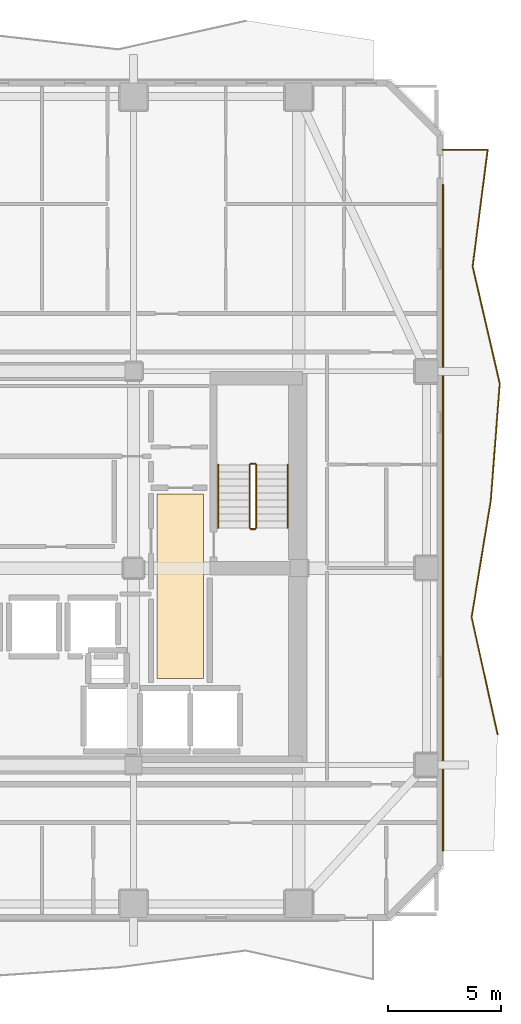
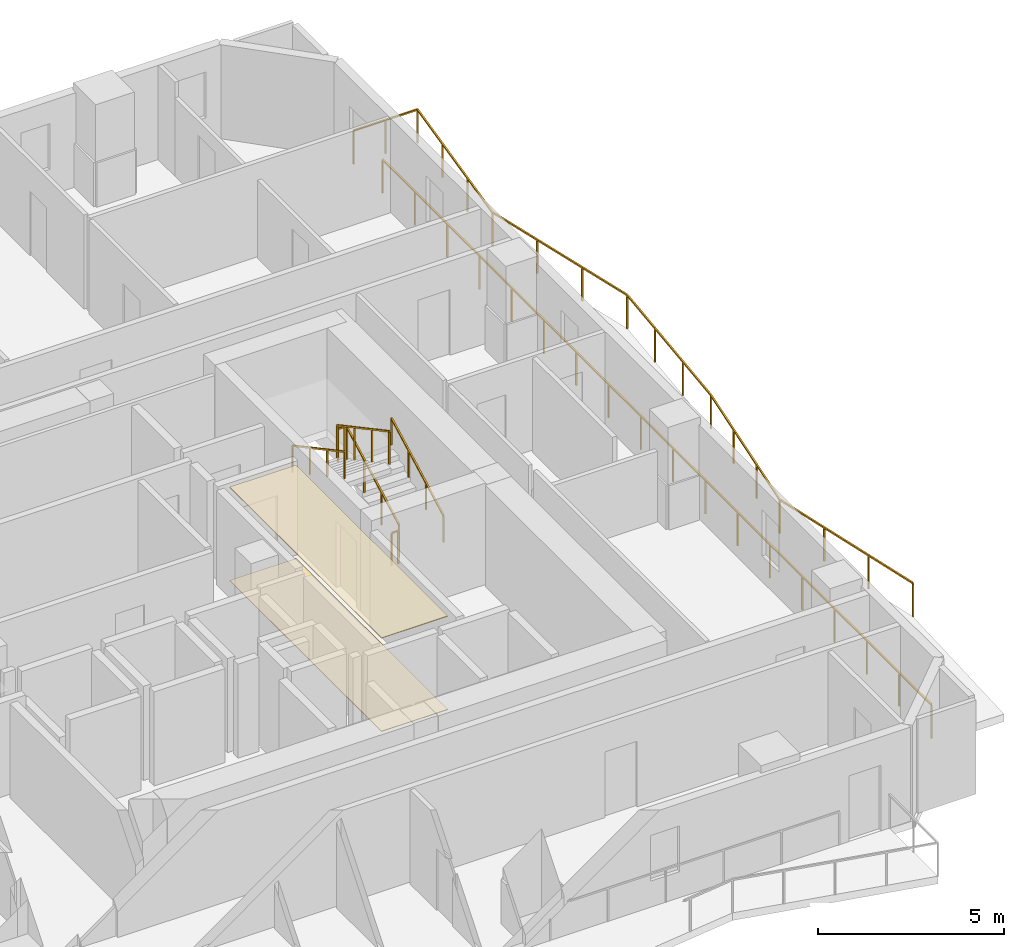
# One storey, part 10 of 11: 8 railings, 2 coverings.
"""IFC4 building model written with IfcOpenShell, lengths in metres."""

from ifc_helpers import new_model, si_unit, direction, frame, origin, origin_2d, place, context, subcontext, project, spatial, polyline, rectangle, outline, extrude, material, layer, layer_set, type_object, element, save


model = new_model("IFC4")

# Units and contexts
model_context = context("Model", 3, precision=1e-05, world=origin(), true_north=direction((0.0, 1.0)))
body_context = subcontext(model_context, "Body", "Model", "MODEL_VIEW")
ifc_project = project(units=[si_unit("LENGTHUNIT", "METRE"), si_unit("AREAUNIT", "SQUARE_METRE"), si_unit("VOLUMEUNIT", "CUBIC_METRE"), si_unit("PLANEANGLEUNIT", "RADIAN"), si_unit("MASSUNIT", "GRAM", prefix="KILO")], contexts=[model_context])

# Site, building, storey
site_placement = place(None, origin())
site = spatial("IfcSite", under=ifc_project, at=site_placement, CompositionType="ELEMENT")
building_placement = place(site_placement, origin())
building = spatial("IfcBuilding", under=site, at=building_placement, Name="Solanera Arch Residences", CompositionType="ELEMENT")
storey_placement = place(building_placement, frame((0.0, 0.0, 180.199951171875)))
storey = spatial("IfcBuildingStorey", under=building, at=storey_placement, Name="L52", CompositionType="ELEMENT", Elevation=180.199951171875)

# Railings
ifc_material_1 = material(Name="Steel S355 (ASTM A992 / A572 Grade 50)", Category="steel")
railing_type_1 = type_object("IfcRailingType", Name="Balustrade Railing BL-1100", PredefinedType="BALUSTRADE", material=ifc_material_1)
railing_1_placement = place(storey_placement, frame((45.2939453125, 23.366943359375, 0.0)))
element("IfcRailing", 1, at=railing_1_placement, inside=storey, type_object=railing_type_1, Name="L52 E Balcony Balustrade 1", PredefinedType="BALUSTRADE", context=body_context, shape_type="SweptSolid", body=[
    extrude(rectangle(XDim=0.048095703125, YDim=0.048095703125, at=origin_2d()), frame((0.0, 0.0, 1.09619140625), z_axis=(-0.216217113055, 0.976345307779, 0.0), x_axis=(-0.976345307779, -0.216217113055, 0.0)), (0.0, 0.0, 1.0), 5.291259765625),
    extrude(rectangle(XDim=0.048095703125, YDim=0.048095703125, at=origin_2d()), frame((-1.14404296875, 5.166015625, 1.09619140625), z_axis=(0.161797358428, 0.986824003967, 0.0), x_axis=(-0.986824003967, 0.161797358428, 0.0)), (0.0, 0.0, 1.0), 5.236083984375),
    extrude(rectangle(XDim=0.048095703125, YDim=0.048095703125, at=origin_2d()), frame((-0.296875, 10.3330078125, 1.09619140625), z_axis=(0.076228136064, 0.997090402758, 0.0), x_axis=(-0.997090402758, 0.076228136064, 0.0)), (0.0, 0.0, 1.0), 5.18212890625),
    extrude(rectangle(XDim=0.048095703125, YDim=0.048095703125, at=origin_2d()), frame((0.09814453125, 15.5, 1.09619140625), z_axis=(-0.225730282309, 0.974189837582, 0.0), x_axis=(-0.974189837582, -0.225730282309, 0.0)), (0.0, 0.0, 1.0), 5.302978515625),
    extrude(rectangle(XDim=0.048095703125, YDim=0.048095703125, at=origin_2d()), frame((-1.098876953125, 20.666015625, 1.09619140625), z_axis=(0.127425584746, 0.991848133714, 0.0), x_axis=(-0.991848133714, 0.127425584746, 0.0)), (0.0, 0.0, 1.0), 5.20947265625),
    extrude(rectangle(XDim=0.048095703125, YDim=0.048095703125, at=origin_2d()), frame((-0.43505859375, 25.8330078125, 1.09619140625), z_axis=(-1.0, 0.0, 0.0), x_axis=(0.0, -1.0, 0.0)), (0.0, 0.0, 1.0), 1.97900390625),
    extrude(rectangle(XDim=0.0419921875, YDim=0.0419921875, at=origin_2d()), origin(), (0.0, 0.0, 1.0), 1.072021484375),
    extrude(rectangle(XDim=0.0419921875, YDim=0.0419921875, at=origin_2d()), frame((-0.38134765625, 1.721923828125, 0.0)), (0.0, 0.0, 1.0), 1.072021484375),
    extrude(rectangle(XDim=0.0419921875, YDim=0.0419921875, at=origin_2d()), frame((-0.7626953125, 3.444091796875, 0.0)), (0.0, 0.0, 1.0), 1.072021484375),
    extrude(rectangle(XDim=0.0419921875, YDim=0.0419921875, at=origin_2d()), frame((-1.14404296875, 5.166015625, 0.0)), (0.0, 0.0, 1.0), 1.072021484375),
    extrude(rectangle(XDim=0.0419921875, YDim=0.0419921875, at=origin_2d()), frame((-0.861572265625, 6.888427734375, 0.0)), (0.0, 0.0, 1.0), 1.072021484375),
    extrude(rectangle(XDim=0.0419921875, YDim=0.0419921875, at=origin_2d()), frame((-0.579345703125, 8.610595703125, 0.0)), (0.0, 0.0, 1.0), 1.072021484375),
    extrude(rectangle(XDim=0.0419921875, YDim=0.0419921875, at=origin_2d()), frame((-0.296875, 10.3330078125, 0.0)), (0.0, 0.0, 1.0), 1.072021484375),
    extrude(rectangle(XDim=0.0419921875, YDim=0.0419921875, at=origin_2d()), frame((-0.165283203125, 12.055419921875, 0.0)), (0.0, 0.0, 1.0), 1.072021484375),
    extrude(rectangle(XDim=0.0419921875, YDim=0.0419921875, at=origin_2d()), frame((-0.033447265625, 13.777587890625, 0.0)), (0.0, 0.0, 1.0), 1.072021484375),
    extrude(rectangle(XDim=0.0419921875, YDim=0.0419921875, at=origin_2d()), frame((0.09814453125, 15.5, 0.0)), (0.0, 0.0, 1.0), 1.072021484375),
    extrude(rectangle(XDim=0.0419921875, YDim=0.0419921875, at=origin_2d()), frame((-0.30078125, 17.221923828125, 0.0)), (0.0, 0.0, 1.0), 1.072021484375),
    extrude(rectangle(XDim=0.0419921875, YDim=0.0419921875, at=origin_2d()), frame((-0.699951171875, 18.944091796875, 0.0)), (0.0, 0.0, 1.0), 1.072021484375),
    extrude(rectangle(XDim=0.0419921875, YDim=0.0419921875, at=origin_2d()), frame((-1.098876953125, 20.666015625, 0.0)), (0.0, 0.0, 1.0), 1.072021484375),
    extrude(rectangle(XDim=0.0419921875, YDim=0.0419921875, at=origin_2d()), frame((-0.877685546875, 22.388427734375, 0.0)), (0.0, 0.0, 1.0), 1.072021484375),
    extrude(rectangle(XDim=0.0419921875, YDim=0.0419921875, at=origin_2d()), frame((-0.65625, 24.110595703125, 0.0)), (0.0, 0.0, 1.0), 1.072021484375),
    extrude(rectangle(XDim=0.0419921875, YDim=0.0419921875, at=origin_2d()), frame((-0.43505859375, 25.8330078125, 0.0)), (0.0, 0.0, 1.0), 1.072021484375),
    extrude(rectangle(XDim=0.0419921875, YDim=0.0419921875, at=origin_2d()), frame((-1.424560546875, 25.8330078125, 0.0)), (0.0, 0.0, 1.0), 1.072021484375),
    extrude(rectangle(XDim=0.0419921875, YDim=0.0419921875, at=origin_2d()), frame((-2.4140625, 25.8330078125, 0.0)), (0.0, 0.0, 1.0), 1.072021484375),
])
railing_2_placement = place(storey_placement, frame((42.8798828125, 47.64111328125, 0.0)))
element("IfcRailing", 2, at=railing_2_placement, inside=storey, type_object=railing_type_1, Name="L52 E Balcony Balustrade 2", PredefinedType="BALUSTRADE", context=body_context, shape_type="SweptSolid", body=[
    extrude(rectangle(XDim=0.048095703125, YDim=0.048095703125, at=origin_2d()), frame((0.0, 0.0, 1.09619140625), z_axis=(0.0, -1.0, 0.0), x_axis=(1.0, 0.0, 0.0)), (0.0, 0.0, 1.0), 29.441162109375),
    extrude(rectangle(XDim=0.0419921875, YDim=0.0419921875, at=origin_2d()), origin(), (0.0, 0.0, 1.0), 1.072021484375),
    extrude(rectangle(XDim=0.0419921875, YDim=0.0419921875, at=origin_2d()), frame((0.0, -1.73193359375, 0.0)), (0.0, 0.0, 1.0), 1.072021484375),
    extrude(rectangle(XDim=0.0419921875, YDim=0.0419921875, at=origin_2d()), frame((0.0, -3.463623046875, 0.0)), (0.0, 0.0, 1.0), 1.072021484375),
    extrude(rectangle(XDim=0.0419921875, YDim=0.0419921875, at=origin_2d()), frame((0.0, -5.195556640625, 0.0)), (0.0, 0.0, 1.0), 1.072021484375),
    extrude(rectangle(XDim=0.0419921875, YDim=0.0419921875, at=origin_2d()), frame((0.0, -6.92724609375, 0.0)), (0.0, 0.0, 1.0), 1.072021484375),
    extrude(rectangle(XDim=0.0419921875, YDim=0.0419921875, at=origin_2d()), frame((0.0, -8.6591796875, 0.0)), (0.0, 0.0, 1.0), 1.072021484375),
    extrude(rectangle(XDim=0.0419921875, YDim=0.0419921875, at=origin_2d()), frame((0.0, -10.39111328125, 0.0)), (0.0, 0.0, 1.0), 1.072021484375),
    extrude(rectangle(XDim=0.0419921875, YDim=0.0419921875, at=origin_2d()), frame((0.0, -12.122802734375, 0.0)), (0.0, 0.0, 1.0), 1.072021484375),
    extrude(rectangle(XDim=0.0419921875, YDim=0.0419921875, at=origin_2d()), frame((0.0, -13.854736328125, 0.0)), (0.0, 0.0, 1.0), 1.072021484375),
    extrude(rectangle(XDim=0.0419921875, YDim=0.0419921875, at=origin_2d()), frame((0.0, -15.58642578125, 0.0)), (0.0, 0.0, 1.0), 1.072021484375),
    extrude(rectangle(XDim=0.0419921875, YDim=0.0419921875, at=origin_2d()), frame((0.0, -17.318359375, 0.0)), (0.0, 0.0, 1.0), 1.072021484375),
    extrude(rectangle(XDim=0.0419921875, YDim=0.0419921875, at=origin_2d()), frame((0.0, -19.050048828125, 0.0)), (0.0, 0.0, 1.0), 1.072021484375),
    extrude(rectangle(XDim=0.0419921875, YDim=0.0419921875, at=origin_2d()), frame((0.0, -20.781982421875, 0.0)), (0.0, 0.0, 1.0), 1.072021484375),
    extrude(rectangle(XDim=0.0419921875, YDim=0.0419921875, at=origin_2d()), frame((0.0, -22.513916015625, 0.0)), (0.0, 0.0, 1.0), 1.072021484375),
    extrude(rectangle(XDim=0.0419921875, YDim=0.0419921875, at=origin_2d()), frame((0.0, -24.24560546875, 0.0)), (0.0, 0.0, 1.0), 1.072021484375),
    extrude(rectangle(XDim=0.0419921875, YDim=0.0419921875, at=origin_2d()), frame((0.0, -25.9775390625, 0.0)), (0.0, 0.0, 1.0), 1.072021484375),
    extrude(rectangle(XDim=0.0419921875, YDim=0.0419921875, at=origin_2d()), frame((0.0, -27.709228515625, 0.0)), (0.0, 0.0, 1.0), 1.072021484375),
    extrude(rectangle(XDim=0.0419921875, YDim=0.0419921875, at=origin_2d()), frame((0.0, -29.441162109375, 0.0)), (0.0, 0.0, 1.0), 1.072021484375),
])

# Covering
ifc_material_2 = material(Name="Porcelain Acoustic Floor Tile", Category="ceramic")
ifc_layer_1 = layer(ifc_material_2, 0.02001953125)
ifc_layer_set_1 = layer_set([ifc_layer_1], Name="Porcelain Acoustic Floor Tile")
covering_type_1 = type_object("IfcCoveringType", Name="Porcelain Acoustic Floor Finish FLR-20", PredefinedType="FLOORING", material=ifc_layer_set_1)
covering_1_placement = place(storey_placement, origin())
element("IfcCovering", 3, at=covering_1_placement, inside=storey, type_object=covering_type_1, Name="L52-FFL-E Porcelain Floor Finish", PredefinedType="FLOORING", context=body_context, shape_type="SweptSolid", body=[
    extrude(outline(polyline([(32.304931640625, 25.824951171875), (30.25, 25.824951171875), (30.25, 33.97509765625), (32.304931640625, 33.97509765625), (32.304931640625, 25.824951171875)])), origin(), (0.0, 0.0, 1.0), 0.02001953125),
])

# Railings
ifc_material_3 = material(Name="Steel S355 (ASTM A992 / A572 Grade 50)", Category="steel")
railing_type_2 = type_object("IfcRailingType", Name="Stair Guardrail GR-1100", PredefinedType="GUARDRAIL", material=ifc_material_3)
railing_3_placement = place(storey_placement, frame((34.6298828125, 32.47998046875, 0.151123046875)))
element("IfcRailing", 4, at=railing_3_placement, inside=storey, type_object=railing_type_2, Name="L52 ST-T2 stair guard 1", PredefinedType="GUARDRAIL", context=body_context, shape_type="SweptSolid", body=[
    extrude(rectangle(XDim=0.048095703125, YDim=0.048095703125, at=origin_2d()), frame((0.0, 0.0, 1.076171875), z_axis=(0.0, 0.881580869306, 0.472033018838), x_axis=(-1.0, 0.0, 0.0)), (0.0, 0.0, 1.0), 3.164794921875),
    extrude(rectangle(XDim=0.0419921875, YDim=0.0419921875, at=origin_2d()), origin(), (0.0, 0.0, 1.0), 1.052001953125),
    extrude(rectangle(XDim=0.0419921875, YDim=0.0419921875, at=origin_2d()), frame((0.0, 0.929931640625, 0.498046875)), (0.0, 0.0, 1.0), 1.052001953125),
    extrude(rectangle(XDim=0.0419921875, YDim=0.0419921875, at=origin_2d()), frame((0.0, 1.860107421875, 0.995849609375)), (0.0, 0.0, 1.0), 1.052001953125),
    extrude(rectangle(XDim=0.0419921875, YDim=0.0419921875, at=origin_2d()), frame((0.0, 2.7900390625, 1.493896484375)), (0.0, 0.0, 1.0), 1.052001953125),
])
railing_4_placement = place(storey_placement, frame((34.580078125, 35.320068359375, 1.64501953125)))
element("IfcRailing", 5, at=railing_4_placement, inside=storey, type_object=railing_type_2, Name="L52 ST-T2 stair guard 2", PredefinedType="GUARDRAIL", context=body_context, shape_type="SweptSolid", body=[
    extrude(rectangle(XDim=0.048095703125, YDim=0.048095703125, at=origin_2d()), frame((0.0, 0.0, 1.076171875), z_axis=(-1.0, 0.0, 0.0), x_axis=(0.0, -1.0, 0.0)), (0.0, 0.0, 1.0), 0.2001953125),
    extrude(rectangle(XDim=0.0419921875, YDim=0.0419921875, at=origin_2d()), origin(), (0.0, 0.0, 1.0), 1.052001953125),
    extrude(rectangle(XDim=0.0419921875, YDim=0.0419921875, at=origin_2d()), frame((-0.2001953125, 0.0, 0.0)), (0.0, 0.0, 1.0), 1.052001953125),
])
railing_5_placement = place(storey_placement, frame((34.330078125, 35.27001953125, 1.81103515625)))
element("IfcRailing", 6, at=railing_5_placement, inside=storey, type_object=railing_type_2, Name="L52 ST-T2 stair guard 3", PredefinedType="GUARDRAIL", context=body_context, shape_type="SweptSolid", body=[
    extrude(rectangle(XDim=0.048095703125, YDim=0.048095703125, at=origin_2d()), frame((0.0, 0.0, 1.076171875), z_axis=(0.0, -0.881580869306, 0.472033018838), x_axis=(1.0, 0.0, 0.0)), (0.0, 0.0, 1.0), 3.164794921875),
    extrude(rectangle(XDim=0.0419921875, YDim=0.0419921875, at=origin_2d()), origin(), (0.0, 0.0, 1.0), 1.052001953125),
    extrude(rectangle(XDim=0.0419921875, YDim=0.0419921875, at=origin_2d()), frame((0.0, -0.929931640625, 0.498046875)), (0.0, 0.0, 1.0), 1.052001953125),
    extrude(rectangle(XDim=0.0419921875, YDim=0.0419921875, at=origin_2d()), frame((0.0, -1.860107421875, 0.995849609375)), (0.0, 0.0, 1.0), 1.052001953125),
    extrude(rectangle(XDim=0.0419921875, YDim=0.0419921875, at=origin_2d()), frame((0.0, -2.7900390625, 1.493896484375)), (0.0, 0.0, 1.0), 1.052001953125),
])
railing_6_placement = place(storey_placement, frame((34.580078125, 32.429931640625, -0.014892578125)))
element("IfcRailing", 7, at=railing_6_placement, inside=storey, type_object=railing_type_2, Name="L52 ST-T2 stair guard 4", PredefinedType="GUARDRAIL", context=body_context, shape_type="SweptSolid", body=[
    extrude(rectangle(XDim=0.048095703125, YDim=0.048095703125, at=origin_2d()), frame((0.0, 0.0, 1.076171875), z_axis=(-1.0, 0.0, 0.0), x_axis=(0.0, -1.0, 0.0)), (0.0, 0.0, 1.0), 0.2001953125),
    extrude(rectangle(XDim=0.0419921875, YDim=0.0419921875, at=origin_2d()), origin(), (0.0, 0.0, 1.0), 1.052001953125),
    extrude(rectangle(XDim=0.0419921875, YDim=0.0419921875, at=origin_2d()), frame((-0.2001953125, 0.0, 0.0)), (0.0, 0.0, 1.0), 1.052001953125),
])
ifc_material_4 = material(Name="Steel S355 (ASTM A992 / A572 Grade 50)", Category="steel")
railing_type_3 = type_object("IfcRailingType", Name="Stair Wall Handrail HR-920", PredefinedType="HANDRAIL", material=ifc_material_4)
railing_7_placement = place(storey_placement, frame((36.010009765625, 32.47998046875, 0.166015625)))
element("IfcRailing", 8, at=railing_7_placement, inside=storey, type_object=railing_type_3, Name="L52 ST-T2 stair handrail 1", PredefinedType="HANDRAIL", context=body_context, shape_type="SweptSolid", body=[
    extrude(rectangle(XDim=0.048095703125, YDim=0.048095703125, at=origin_2d()), frame((0.0, 0.0, 0.8759765625), z_axis=(0.0, 0.881548766853, 0.472092969298), x_axis=(-1.0, 0.0, 0.0)), (0.0, 0.0, 1.0), 3.1650390625),
    extrude(rectangle(XDim=0.0419921875, YDim=0.0419921875, at=origin_2d()), origin(), (0.0, 0.0, 1.0), 0.851806640625),
    extrude(rectangle(XDim=0.0419921875, YDim=0.0419921875, at=origin_2d()), frame((0.0, 0.929931640625, 0.498046875)), (0.0, 0.0, 1.0), 0.851806640625),
    extrude(rectangle(XDim=0.0419921875, YDim=0.0419921875, at=origin_2d()), frame((0.0, 1.860107421875, 0.99609375)), (0.0, 0.0, 1.0), 0.851806640625),
    extrude(rectangle(XDim=0.0419921875, YDim=0.0419921875, at=origin_2d()), frame((0.0, 2.7900390625, 1.494140625)), (0.0, 0.0, 1.0), 0.851806640625),
])
railing_8_placement = place(storey_placement, frame((32.949951171875, 35.27001953125, 1.825927734375)))
element("IfcRailing", 9, at=railing_8_placement, inside=storey, type_object=railing_type_3, Name="L52 ST-T2 stair handrail 2", PredefinedType="HANDRAIL", context=body_context, shape_type="SweptSolid", body=[
    extrude(rectangle(XDim=0.048095703125, YDim=0.048095703125, at=origin_2d()), frame((0.0, 0.0, 0.8759765625), z_axis=(0.0, -0.881548766853, 0.472092969298), x_axis=(1.0, 0.0, 0.0)), (0.0, 0.0, 1.0), 3.1650390625),
    extrude(rectangle(XDim=0.0419921875, YDim=0.0419921875, at=origin_2d()), origin(), (0.0, 0.0, 1.0), 0.851806640625),
    extrude(rectangle(XDim=0.0419921875, YDim=0.0419921875, at=origin_2d()), frame((0.0, -0.929931640625, 0.498046875)), (0.0, 0.0, 1.0), 0.851806640625),
    extrude(rectangle(XDim=0.0419921875, YDim=0.0419921875, at=origin_2d()), frame((0.0, -1.860107421875, 0.99609375)), (0.0, 0.0, 1.0), 0.851806640625),
    extrude(rectangle(XDim=0.0419921875, YDim=0.0419921875, at=origin_2d()), frame((0.0, -2.7900390625, 1.494140625)), (0.0, 0.0, 1.0), 0.851806640625),
])

# Covering
ifc_material_5 = material(Name="Mineral Fibre Acoustic Ceiling Board", Category="gypsum")
ifc_layer_2 = layer(ifc_material_5, 0.02490234375)
ifc_layer_set_2 = layer_set([ifc_layer_2], Name="Mineral Fibre Acoustic Ceiling Board")
covering_type_2 = type_object("IfcCoveringType", Name="Suspended Acoustic Ceiling Board CLG-25", PredefinedType="CEILING", material=ifc_layer_set_2)
covering_2_placement = place(storey_placement, frame((0.0, 0.0, 3.054931640625)))
element("IfcCovering", 10, at=covering_2_placement, inside=storey, type_object=covering_type_2, Name="L52-FFL-E Acoustic Ceiling", PredefinedType="CEILING", context=body_context, shape_type="SweptSolid", body=[
    extrude(outline(polyline([(32.304931640625, 25.824951171875), (30.25, 25.824951171875), (30.25, 33.97509765625), (32.304931640625, 33.97509765625), (32.304931640625, 25.824951171875)])), origin(), (0.0, 0.0, 1.0), 0.025146484375),
])

save(model, "model.ifc")
